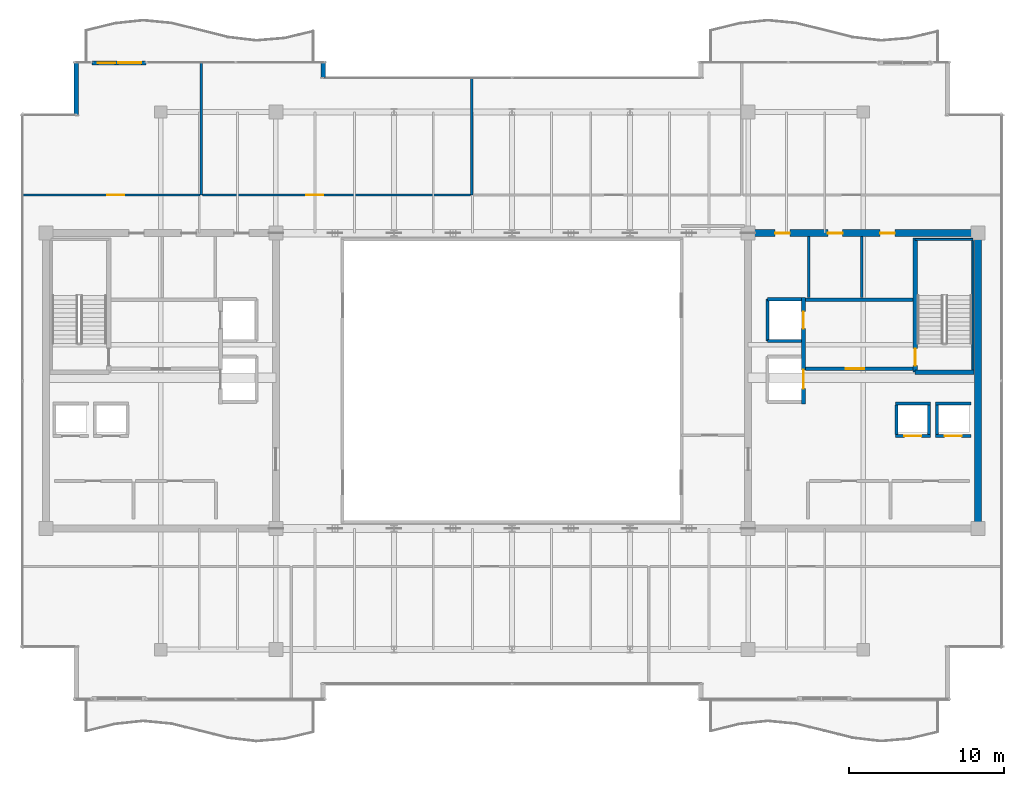
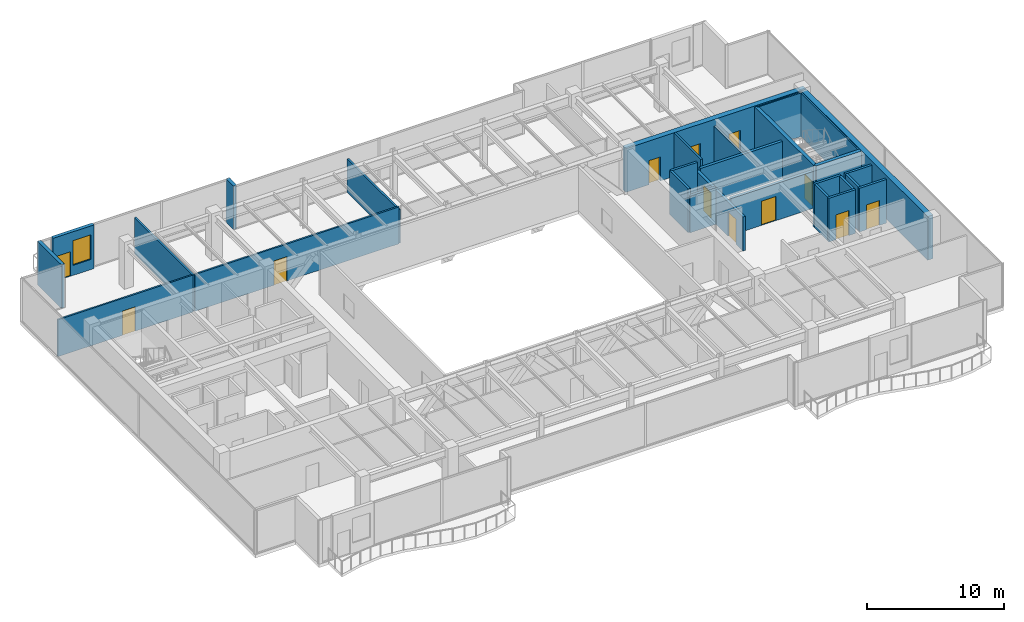
# One storey, part 27 of 31: 28 walls, 12 doors, 1 window, 13 openings.
"""IFC4 building model written with IfcOpenShell, lengths in metres."""

from ifc_helpers import new_model, si_unit, direction, frame, frame_2d, origin, place, context, subcontext, project, spatial, rectangle, extrude, source, transform, mapped, material, layer, layer_set, type_object, type_shapes, element, fill, save


model = new_model("IFC4")

# Units and contexts
model_context = context("Model", 3, precision=1e-05, world=origin(), true_north=direction((0.0, 1.0)))
body_context = subcontext(model_context, "Body", "Model", "MODEL_VIEW")
ifc_project = project(units=[si_unit("LENGTHUNIT", "METRE"), si_unit("AREAUNIT", "SQUARE_METRE"), si_unit("VOLUMEUNIT", "CUBIC_METRE"), si_unit("PLANEANGLEUNIT", "RADIAN"), si_unit("MASSUNIT", "GRAM", prefix="KILO")], contexts=[model_context])

# Site, building, storey
site_placement = place(None, origin())
site = spatial("IfcSite", under=ifc_project, at=site_placement, CompositionType="ELEMENT")
building_placement = place(site_placement, origin())
building = spatial("IfcBuilding", under=site, at=building_placement, Name="Haelvirn Gate Laboratories", CompositionType="ELEMENT")
storey_placement = place(building_placement, frame((0.0, 0.0, 310.199951171875)))
storey = spatial("IfcBuildingStorey", under=building, at=storey_placement, Name="L74", CompositionType="ELEMENT", Elevation=310.199951171875)

# Wall, openings, door, window
ifc_material_1 = material(Name="Thermally-broken bronze aluminium rainscreen & mineral wool", Category="aluminium")
ifc_layer_1 = layer(ifc_material_1, 0.280029296875, Name="EW-TERR-280")
ifc_layer_set_1 = layer_set([ifc_layer_1], Name="Thermally-broken bronze aluminium rainscreen & mineral wool")
wall_type_1 = type_object("IfcWallType", Name="EW-TERR-280", PredefinedType="STANDARD", material=ifc_layer_set_1)
wall_1_placement = place(storey_placement, frame((10.3720703125, 44.760009765625, 0.0), z_axis=(0.0, 0.0, 1.0), x_axis=(1.0, 0.0, 0.0)))
wall_1 = element("IfcWall", 1, at=wall_1_placement, inside=storey, type_object=wall_type_1, Name="L74 Terrace Access Wall WB-WL-N", PredefinedType="STANDARD", context=body_context, shape_type="SweptSolid", body=[
    extrude(rectangle(XDim=3.455810546875, YDim=0.280029296875, at=frame_2d((1.72802734375, 0.0))), origin(), (0.0, 0.0, 1.0), 3.900146484375),
])
opening_1_placement = place(wall_1_placement, frame((0.3779296875, 0.0, 0.0)))
opening_1 = element("IfcOpeningElement", 2, at=opening_1_placement, cuts=wall_1, Name="Opening TD1", PredefinedType="OPENING", context=body_context, shape_type="SweptSolid", body=[
    extrude(rectangle(XDim=1.10009765625, YDim=2.199951171875, at=frame_2d((0.550048828125, 1.10009765625))), frame((0.0, 0.14990234375, 0.0), z_axis=(0.0, -1.0, 0.0), x_axis=(1.0, 0.0, 0.0)), (0.0, 0.0, 1.0), 0.300048828125),
])
opening_2_placement = place(wall_1_placement, frame((1.677978515625, 0.0, 0.89990234375)))
opening_2 = element("IfcOpeningElement", 3, at=opening_2_placement, cuts=wall_1, Name="Opening W3", PredefinedType="OPENING", context=body_context, shape_type="SweptSolid", body=[
    extrude(rectangle(XDim=1.5, YDim=2.199951171875, at=frame_2d((0.75, 1.10009765625))), frame((0.0, 0.14990234375, 0.0), z_axis=(0.0, -1.0, 0.0), x_axis=(1.0, 0.0, 0.0)), (0.0, 0.0, 1.0), 0.300048828125),
])
ifc_material_2 = material(Name="Thermally-broken bronze aluminium glazed terrace door", Category="aluminium")
door_type_1 = type_object("IfcDoorType", Name="DR-TERR-1100", OperationType="NOTDEFINED", PredefinedType="DOOR", material=ifc_material_2)
shared_shape_1 = source(origin(), body_context, "Body", "SweptSolid", [
    extrude(rectangle(XDim=1.10009765625, YDim=2.199951171875, at=frame_2d((0.550048828125, 1.10009765625))), frame((0.0, 0.02490234375, 0.0), z_axis=(0.0, -1.0, 0.0), x_axis=(1.0, 0.0, 0.0)), (0.0, 0.0, 1.0), 0.050048828125),
])
type_shapes(door_type_1, [shared_shape_1])
door_1_placement = place(opening_1_placement, origin())
door_1 = element("IfcDoor", 4, at=door_1_placement, inside=storey, type_object=door_type_1, Name="L74 Terrace Access Door WB-WL-N", OperationType="SINGLE_SWING_RIGHT", OverallHeight=2.199951171875, OverallWidth=1.10009765625, PredefinedType="DOOR", context=body_context, shape_type="MappedRepresentation", body=[
    mapped(shared_shape_1, transform((0.0, 0.0, 0.0), scale=1.0)),
])
fill(opening_1, door_1)
ifc_material_3 = material(Name="Bronze anodised aluminium & triple low-E glass", Category="aluminium")
window_type = type_object("IfcWindowType", Name="WIN-TERR-1600", PartitioningType="SINGLE_PANEL", PredefinedType="WINDOW", material=ifc_material_3)
shared_shape_2 = source(origin(), body_context, "Body", "SweptSolid", [
    extrude(rectangle(XDim=1.5, YDim=2.199951171875, at=frame_2d((0.75, 1.10009765625))), frame((0.0, 0.030029296875, 0.0), z_axis=(0.0, -1.0, 0.0), x_axis=(1.0, 0.0, 0.0)), (0.0, 0.0, 1.0), 0.06005859375),
])
type_shapes(window_type, [shared_shape_2])
window_placement = place(opening_2_placement, origin())
window = element("IfcWindow", 5, at=window_placement, inside=storey, type_object=window_type, Name="L74 Terrace Vision Window WB-WL-N", OverallHeight=2.199951171875, OverallWidth=1.5, PartitioningType="SINGLE_PANEL", PredefinedType="WINDOW", context=body_context, shape_type="MappedRepresentation", body=[
    mapped(shared_shape_2, transform((0.0, 0.0, 0.0), scale=1.0)),
])
fill(opening_2, window)

# Walls
wall_2_placement = place(storey_placement, frame((25.260009765625, 43.806884765625, 0.0), z_axis=(0.0, 0.0, 1.0), x_axis=(0.0, 1.0, 0.0)))
element("IfcWall", 6, at=wall_2_placement, inside=storey, type_object=wall_type_1, Name="L74 Atrium Recess Bronze Return Wall 13", PredefinedType="STANDARD", context=body_context, shape_type="SweptSolid", body=[
    extrude(rectangle(XDim=1.093017578125, YDim=0.280029296875, at=frame_2d((0.54638671875, 0.0))), origin(), (0.0, 0.0, 1.0), 3.900146484375),
])
wall_3_placement = place(storey_placement, frame((9.340087890625, 44.89990234375, 0.0), z_axis=(0.0, 0.0, 1.0), x_axis=(0.0, -1.0, 0.0)))
element("IfcWall", 7, at=wall_3_placement, inside=storey, type_object=wall_type_1, Name="L74 Atrium Recess Bronze Return Wall 15", PredefinedType="STANDARD", context=body_context, shape_type="SweptSolid", body=[
    extrude(rectangle(XDim=3.48779296875, YDim=0.280029296875, at=frame_2d((1.743896484375, 0.0))), origin(), (0.0, 0.0, 1.0), 3.900146484375),
])
ifc_material_4 = material(Name="Double-layer acoustic gypsum laboratory partition", Category="gypsum")
ifc_layer_2 = layer(ifc_material_4, 0.159912109375, Name="IW-ACOUST-160")
ifc_layer_set_2 = layer_set([ifc_layer_2], Name="Double-layer acoustic gypsum laboratory partition")
wall_type_2 = type_object("IfcWallType", Name="IW-ACOUST-160", PredefinedType="PARTITIONING", material=ifc_layer_set_2)
wall_4_placement = place(storey_placement, frame((17.39990234375, 36.260009765625, 0.0), z_axis=(0.0, 0.0, 1.0), x_axis=(0.0, 1.0, 0.0)))
element("IfcWall", 8, at=wall_4_placement, inside=storey, type_object=wall_type_2, Name="L74 Interior Wall IW-L74-NDIV-01", PredefinedType="PARTITIONING", context=body_context, shape_type="SweptSolid", body=[
    extrude(rectangle(XDim=8.530029296875, YDim=0.159912109375, at=frame_2d((4.26513671875, 0.0))), origin(), (0.0, 0.0, 1.0), 3.235107421875),
])
wall_5_placement = place(storey_placement, frame((34.800048828125, 36.260009765625, 0.0), z_axis=(0.0, 0.0, 1.0), x_axis=(0.0, 1.0, 0.0)))
element("IfcWall", 9, at=wall_5_placement, inside=storey, type_object=wall_type_2, Name="L74 Interior Wall IW-L74-NDIV-02", PredefinedType="PARTITIONING", context=body_context, shape_type="SweptSolid", body=[
    extrude(rectangle(XDim=7.530029296875, YDim=0.159912109375, at=frame_2d((3.76513671875, 0.0))), origin(), (0.0, 0.0, 1.0), 2.985107421875),
])

# Wall, opening, door
ifc_material_5 = material(Name="Acoustic mineral-wool gypsum board partition", Category="gypsum")
ifc_layer_3 = layer(ifc_material_5, 0.139892578125, Name="IW-PART-140")
ifc_layer_set_3 = layer_set([ifc_layer_3], Name="Acoustic mineral-wool gypsum board partition")
wall_type_3 = type_object("IfcWallType", Name="IW-PART-140", PredefinedType="PARTITIONING", material=ifc_layer_set_3)
wall_6_placement = place(storey_placement, frame((5.909912109375, 36.260009765625, 0.0), z_axis=(0.0, 0.0, 1.0), x_axis=(1.0, 0.0, 0.0)))
wall_6 = element("IfcWall", 10, at=wall_6_placement, inside=storey, type_object=wall_type_3, Name="L74 Interior Wall IW-L74-NCORR-01", PredefinedType="PARTITIONING", context=body_context, shape_type="SweptSolid", body=[
    extrude(rectangle(XDim=11.41015625, YDim=0.139892578125, at=frame_2d((5.705078125, 0.0))), origin(), (0.0, 0.0, 1.0), 3.297119140625),
])
opening_3_placement = place(wall_6_placement, frame((5.443359375, 0.0, 0.0)))
opening_3 = element("IfcOpeningElement", 11, at=opening_3_placement, cuts=wall_6, Name="Opening D1", PredefinedType="OPENING", context=body_context, shape_type="SweptSolid", body=[
    extrude(rectangle(XDim=1.10009765625, YDim=2.179931640625, at=frame_2d((0.550048828125, 1.08984375))), frame((0.0, 0.080078125, 0.0), z_axis=(0.0, -1.0, 0.0), x_axis=(1.0, 0.0, 0.0)), (0.0, 0.0, 1.0), 0.159912109375),
])
ifc_material_6 = material(Name="Vision-panel acoustic solid-core timber lab door", Category="wood")
door_type_2 = type_object("IfcDoorType", Name="DR-LAB-1100", OperationType="NOTDEFINED", PredefinedType="DOOR", material=ifc_material_6)
shared_shape_3 = source(origin(), body_context, "Body", "SweptSolid", [
    extrude(rectangle(XDim=1.10009765625, YDim=2.179931640625, at=frame_2d((0.550048828125, 1.08984375))), frame((0.0, 0.02490234375, 0.0), z_axis=(0.0, -1.0, 0.0), x_axis=(1.0, 0.0, 0.0)), (0.0, 0.0, 1.0), 0.050048828125),
])
type_shapes(door_type_2, [shared_shape_3])
door_2_placement = place(opening_3_placement, origin())
door_2 = element("IfcDoor", 12, at=door_2_placement, inside=storey, type_object=door_type_2, Name="L74 Protocol Briefing Training Room Door N1", OperationType="SINGLE_SWING_RIGHT", OverallHeight=2.179931640625, OverallWidth=1.10009765625, PredefinedType="DOOR", context=body_context, shape_type="MappedRepresentation", body=[
    mapped(shared_shape_3, transform((0.0, 0.0, 0.0), scale=1.0)),
])
fill(opening_3, door_2)

wall_7_placement = place(storey_placement, frame((17.47998046875, 36.260009765625, 0.0), z_axis=(0.0, 0.0, 1.0), x_axis=(1.0, 0.0, 0.0)))
wall_7 = element("IfcWall", 13, at=wall_7_placement, inside=storey, type_object=wall_type_3, Name="L74 Interior Wall IW-L74-NCORR-02", PredefinedType="PARTITIONING", context=body_context, shape_type="SweptSolid", body=[
    extrude(rectangle(XDim=17.239990234375, YDim=0.139892578125, at=frame_2d((8.6201171875, 0.0))), origin(), (0.0, 0.0, 1.0), 3.297119140625),
])
opening_4_placement = place(wall_7_placement, frame((6.680419921875, 0.0, 0.0)))
opening_4 = element("IfcOpeningElement", 14, at=opening_4_placement, cuts=wall_7, Name="Opening D1", PredefinedType="OPENING", context=body_context, shape_type="SweptSolid", body=[
    extrude(rectangle(XDim=1.10009765625, YDim=2.179931640625, at=frame_2d((0.550048828125, 1.08984375))), frame((0.0, 0.080078125, 0.0), z_axis=(0.0, -1.0, 0.0), x_axis=(1.0, 0.0, 0.0)), (0.0, 0.0, 1.0), 0.159912109375),
])
door_3_placement = place(opening_4_placement, origin())
door_3 = element("IfcDoor", 15, at=door_3_placement, inside=storey, type_object=door_type_2, Name="L74 Scientific Reference Library Door N2", OperationType="SINGLE_SWING_LEFT", OverallHeight=2.179931640625, OverallWidth=1.10009765625, PredefinedType="DOOR", context=body_context, shape_type="MappedRepresentation", body=[
    mapped(shared_shape_3, transform((0.0, 0.0, 0.0), scale=1.0)),
])
fill(opening_4, door_3)

# Walls
ifc_material_7 = material(Name="Cement-board restroom plumbing chase wall", Category="gypsum")
ifc_layer_4 = layer(ifc_material_7, 0.155029296875, Name="IW-PLUMB-160")
ifc_layer_set_4 = layer_set([ifc_layer_4], Name="Cement-board restroom plumbing chase wall")
wall_type_4 = type_object("IfcWallType", Name="IW-PLUMB-160", PredefinedType="PLUMBINGWALL", material=ifc_layer_set_4)
wall_8_placement = place(storey_placement, frame((59.909912109375, 29.64990234375, 0.0), z_axis=(0.0, 0.0, 1.0), x_axis=(0.0, 1.0, 0.0)))
element("IfcWall", 16, at=wall_8_placement, inside=storey, type_object=wall_type_4, Name="L74 Interior Wall IW-L74-E-CDIV-1", PredefinedType="PLUMBINGWALL", context=body_context, shape_type="SweptSolid", body=[
    extrude(rectangle(XDim=3.93017578125, YDim=0.155029296875, at=frame_2d((1.965087890625, 0.0))), origin(), (0.0, 0.0, 1.0), 3.297119140625),
])
wall_9_placement = place(storey_placement, frame((56.510009765625, 29.64990234375, 0.0), z_axis=(0.0, 0.0, 1.0), x_axis=(0.0, 1.0, 0.0)))
element("IfcWall", 17, at=wall_9_placement, inside=storey, type_object=wall_type_4, Name="L74 Interior Wall IW-L74-E-CDIV-2", PredefinedType="PLUMBINGWALL", context=body_context, shape_type="SweptSolid", body=[
    extrude(rectangle(XDim=3.93017578125, YDim=0.155029296875, at=frame_2d((1.965087890625, 0.0))), origin(), (0.0, 0.0, 1.0), 3.900146484375),
])
ifc_material_8 = material(Name="Concrete C40/50", Category="concrete")
ifc_layer_5 = layer(ifc_material_8, 0.179931640625, Name="IW-SHAFT-180")
ifc_layer_set_5 = layer_set([ifc_layer_5], Name="Concrete C40/50")
wall_type_5 = type_object("IfcWallType", Name="IW-SHAFT-180", PredefinedType="SOLIDWALL", material=ifc_layer_set_5)
for number, where, z_axis, x_axis, name in (
    (18, (64.75, 20.85009765625, 0.0), (0.0, 0.0, 1.0), (0.0, 1.0, 0.0), "L74 Interior Wall IW-L74-PL11-SD"),
    (19, (62.14990234375, 20.85009765625, 0.0), (0.0, 0.0, 1.0), (0.0, 1.0, 0.0), "L74 Interior Wall IW-L74-PL12-SD"),
    (20, (64.25, 20.85009765625, 0.0), (0.0, 0.0, 1.0), (0.0, 1.0, 0.0), "L74 Interior Wall IW-L74-PL12-SDE"),
):
    element("IfcWall", number, at=place(storey_placement, frame(where, z_axis=z_axis, x_axis=x_axis)), inside=storey, type_object=wall_type_5, Name=name, PredefinedType="SOLIDWALL", context=body_context, shape_type="SweptSolid", body=[
        extrude(rectangle(XDim=1.89990234375, YDim=0.179931640625, at=frame_2d((0.949951171875, 0.0))), origin(), (0.0, 0.0, 1.0), 3.900146484375),
    ])

# Wall, opening, door
ifc_layer_6 = layer(ifc_material_8, 0.199951171875, Name="IW-SHAFT-200")
ifc_layer_set_6 = layer_set([ifc_layer_6], Name="Concrete C40/50")
wall_type_6 = type_object("IfcWallType", Name="IW-SHAFT-200", PredefinedType="SOLIDWALL", material=ifc_layer_set_6)
wall_10_placement = place(storey_placement, frame((64.669921875, 20.75, 0.0), z_axis=(0.0, 0.0, 1.0), x_axis=(1.0, 0.0, 0.0)))
wall_10 = element("IfcWall", 21, at=wall_10_placement, inside=storey, type_object=wall_type_6, Name="L74 Interior Wall IW-L74-PL11-FR", PredefinedType="SOLIDWALL", context=body_context, shape_type="SweptSolid", body=[
    extrude(rectangle(XDim=2.260009765625, YDim=0.199951171875, at=frame_2d((1.1298828125, 0.0))), origin(), (0.0, 0.0, 1.0), 3.900146484375),
])
opening_5_placement = place(wall_10_placement, frame((0.580078125, 0.0, 0.0)))
opening_5 = element("IfcOpeningElement", 22, at=opening_5_placement, cuts=wall_10, Name="Opening LD2", PredefinedType="OPENING", context=body_context, shape_type="SweptSolid", body=[
    extrude(rectangle(XDim=1.10009765625, YDim=2.219970703125, at=frame_2d((0.550048828125, 1.10986328125))), frame((0.0, 0.10986328125, 0.0), z_axis=(0.0, -1.0, 0.0), x_axis=(1.0, 0.0, 0.0)), (0.0, 0.0, 1.0), 0.219970703125),
])
ifc_material_9 = material(Name="Bronze stainless 316L sliding lift landing door")
door_type_3 = type_object("IfcDoorType", Name="DR-LD-1100", OperationType="NOTDEFINED", PredefinedType="USERDEFINED", material=ifc_material_9)
shared_shape_4 = source(origin(), body_context, "Body", "SweptSolid", [
    extrude(rectangle(XDim=1.10009765625, YDim=2.219970703125, at=frame_2d((0.550048828125, 1.10986328125))), frame((0.0, 0.02490234375, 0.0), z_axis=(0.0, -1.0, 0.0), x_axis=(1.0, 0.0, 0.0)), (0.0, 0.0, 1.0), 0.050048828125),
])
type_shapes(door_type_3, [shared_shape_4])
door_4_placement = place(opening_5_placement, origin())
door_4 = element("IfcDoor", 23, at=door_4_placement, inside=storey, type_object=door_type_3, Name="L74 Passenger Lift PL11 Landing Door", ObjectType="LANDING_DOOR", OperationType="SLIDING_TO_LEFT", OverallHeight=2.219970703125, OverallWidth=1.10009765625, PredefinedType="USERDEFINED", context=body_context, shape_type="MappedRepresentation", body=[
    mapped(shared_shape_4, transform((0.0, 0.0, 0.0), scale=1.0)),
])
fill(opening_5, door_4)

# Wall
wall_11_placement = place(storey_placement, frame((64.669921875, 22.85009765625, 0.0), z_axis=(0.0, 0.0, 1.0), x_axis=(1.0, 0.0, 0.0)))
element("IfcWall", 24, at=wall_11_placement, inside=storey, type_object=wall_type_6, Name="L74 Interior Wall IW-L74-PL11-BK", PredefinedType="SOLIDWALL", context=body_context, shape_type="SweptSolid", body=[
    extrude(rectangle(XDim=2.260009765625, YDim=0.199951171875, at=frame_2d((1.1298828125, 0.0))), origin(), (0.0, 0.0, 1.0), 3.900146484375),
])

# Wall, opening, door
wall_12_placement = place(storey_placement, frame((62.070068359375, 20.75, 0.0), z_axis=(0.0, 0.0, 1.0), x_axis=(1.0, 0.0, 0.0)))
wall_12 = element("IfcWall", 25, at=wall_12_placement, inside=storey, type_object=wall_type_6, Name="L74 Interior Wall IW-L74-PL12-FR", PredefinedType="SOLIDWALL", context=body_context, shape_type="SweptSolid", body=[
    extrude(rectangle(XDim=2.260009765625, YDim=0.199951171875, at=frame_2d((1.1298828125, 0.0))), origin(), (0.0, 0.0, 1.0), 3.900146484375),
])
opening_6_placement = place(wall_12_placement, frame((0.580078125, 0.0, 0.0)))
opening_6 = element("IfcOpeningElement", 26, at=opening_6_placement, cuts=wall_12, Name="Opening LD2", PredefinedType="OPENING", context=body_context, shape_type="SweptSolid", body=[
    extrude(rectangle(XDim=1.10009765625, YDim=2.219970703125, at=frame_2d((0.550048828125, 1.10986328125))), frame((0.0, 0.10986328125, 0.0), z_axis=(0.0, -1.0, 0.0), x_axis=(1.0, 0.0, 0.0)), (0.0, 0.0, 1.0), 0.219970703125),
])
door_5_placement = place(opening_6_placement, origin())
door_5 = element("IfcDoor", 27, at=door_5_placement, inside=storey, type_object=door_type_3, Name="L74 Passenger Lift PL12 Landing Door", ObjectType="LANDING_DOOR", OperationType="SLIDING_TO_RIGHT", OverallHeight=2.219970703125, OverallWidth=1.10009765625, PredefinedType="USERDEFINED", context=body_context, shape_type="MappedRepresentation", body=[
    mapped(shared_shape_4, transform((0.0, 0.0, 0.0), scale=1.0)),
])
fill(opening_6, door_5)

# Walls
wall_13_placement = place(storey_placement, frame((62.070068359375, 22.85009765625, 0.0), z_axis=(0.0, 0.0, 1.0), x_axis=(1.0, 0.0, 0.0)))
element("IfcWall", 28, at=wall_13_placement, inside=storey, type_object=wall_type_6, Name="L74 Interior Wall IW-L74-PL12-BK", PredefinedType="SOLIDWALL", context=body_context, shape_type="SweptSolid", body=[
    extrude(rectangle(XDim=2.260009765625, YDim=0.199951171875, at=frame_2d((1.1298828125, 0.0))), origin(), (0.0, 0.0, 1.0), 3.900146484375),
])
wall_14_placement = place(storey_placement, frame((53.85009765625, 26.85009765625, 0.0), z_axis=(0.0, 0.0, 1.0), x_axis=(0.0, 1.0, 0.0)))
element("IfcWall", 29, at=wall_14_placement, inside=storey, type_object=wall_type_6, Name="L74 Interior Wall IW-L74-FL2-BK", PredefinedType="SOLIDWALL", context=body_context, shape_type="SweptSolid", body=[
    extrude(rectangle(XDim=2.699951171875, YDim=0.199951171875, at=frame_2d((1.35009765625, 0.0))), origin(), (0.0, 0.0, 1.0), 3.900146484375),
])
wall_15_placement = place(storey_placement, frame((53.85009765625, 29.550048828125, 0.0), z_axis=(0.0, 0.0, 1.0), x_axis=(1.0, 0.0, 0.0)))
element("IfcWall", 30, at=wall_15_placement, inside=storey, type_object=wall_type_6, Name="L74 Interior Wall IW-L74-FL2-N", PredefinedType="SOLIDWALL", context=body_context, shape_type="SweptSolid", body=[
    extrude(rectangle(XDim=2.18994140625, YDim=0.199951171875, at=frame_2d((1.094970703125, 0.0))), origin(), (0.0, 0.0, 1.0), 3.900146484375),
])
wall_16_placement = place(storey_placement, frame((53.85009765625, 26.85009765625, 0.0), z_axis=(0.0, 0.0, 1.0), x_axis=(1.0, 0.0, 0.0)))
element("IfcWall", 31, at=wall_16_placement, inside=storey, type_object=wall_type_6, Name="L74 Interior Wall IW-L74-FL2-S", PredefinedType="SOLIDWALL", context=body_context, shape_type="SweptSolid", body=[
    extrude(rectangle(XDim=2.18994140625, YDim=0.199951171875, at=frame_2d((1.094970703125, 0.0))), origin(), (0.0, 0.0, 1.0), 3.297119140625),
])

# Wall, opening, door
ifc_layer_7 = layer(ifc_material_8, 0.239990234375, Name="IW-SHAFT-240")
ifc_layer_set_7 = layer_set([ifc_layer_7], Name="Concrete C40/50")
wall_type_7 = type_object("IfcWallType", Name="IW-SHAFT-240", PredefinedType="SOLIDWALL", material=ifc_layer_set_7)
wall_17_placement = place(storey_placement, frame((56.280029296875, 25.080078125, 0.0), z_axis=(0.0, 0.0, 1.0), x_axis=(1.0, 0.0, 0.0)))
wall_17 = element("IfcWall", 32, at=wall_17_placement, inside=storey, type_object=wall_type_7, Name="L74 Interior Wall IW-L74-E-FF-S", PredefinedType="SOLIDWALL", context=body_context, shape_type="SweptSolid", body=[
    extrude(rectangle(XDim=6.919921875, YDim=0.239990234375, at=frame_2d((3.4599609375, 0.0))), origin(), (0.0, 0.0, 1.0), 3.297119140625),
])
opening_7_placement = place(wall_17_placement, frame((2.60009765625, 0.0, 0.0)))
opening_7 = element("IfcOpeningElement", 33, at=opening_7_placement, cuts=wall_17, Name="Opening FD2", PredefinedType="OPENING", context=body_context, shape_type="SweptSolid", body=[
    extrude(rectangle(XDim=1.199951171875, YDim=2.159912109375, at=frame_2d((0.60009765625, 1.080078125))), frame((0.0, 0.1298828125, 0.0), z_axis=(0.0, -1.0, 0.0), x_axis=(1.0, 0.0, 0.0)), (0.0, 0.0, 1.0), 0.260009765625),
])
ifc_material_10 = material(Name="Fire-rated steel SM355 compartment door", Category="steel")
door_type_4 = type_object("IfcDoorType", Name="DR-FD-1200", OperationType="NOTDEFINED", PredefinedType="DOOR", material=ifc_material_10)
shared_shape_5 = source(origin(), body_context, "Body", "SweptSolid", [
    extrude(rectangle(XDim=1.199951171875, YDim=2.159912109375, at=frame_2d((0.60009765625, 1.080078125))), frame((0.0, 0.02490234375, 0.0), z_axis=(0.0, -1.0, 0.0), x_axis=(1.0, 0.0, 0.0)), (0.0, 0.0, 1.0), 0.050048828125),
])
type_shapes(door_type_4, [shared_shape_5])
door_6_placement = place(opening_7_placement, origin())
door_6 = element("IfcDoor", 34, at=door_6_placement, inside=storey, type_object=door_type_4, Name="L74 East Firefighting Lobby Door", OperationType="SINGLE_SWING_LEFT", OverallHeight=2.159912109375, OverallWidth=1.199951171875, PredefinedType="DOOR", context=body_context, shape_type="MappedRepresentation", body=[
    mapped(shared_shape_5, transform((0.0, 0.0, 0.0), scale=1.0)),
])
fill(opening_7, door_6)

# Wall
wall_18_placement = place(storey_placement, frame((56.280029296875, 29.52001953125, 0.0), z_axis=(0.0, 0.0, 1.0), x_axis=(1.0, 0.0, 0.0)))
element("IfcWall", 35, at=wall_18_placement, inside=storey, type_object=wall_type_7, Name="L74 Interior Wall IW-L74-E-FF-N", PredefinedType="SOLIDWALL", context=body_context, shape_type="SweptSolid", body=[
    extrude(rectangle(XDim=6.919921875, YDim=0.239990234375, at=frame_2d((3.4599609375, 0.0))), origin(), (0.0, 0.0, 1.0), 3.297119140625),
])

# Wall, openings, doors
wall_19_placement = place(storey_placement, frame((56.159912109375, 22.800048828125, 0.0), z_axis=(0.0, 0.0, 1.0), x_axis=(0.0, 1.0, 0.0)))
wall_19 = element("IfcWall", 36, at=wall_19_placement, inside=storey, type_object=wall_type_7, Name="L74 Interior Wall IW-L74-E-FF-E", PredefinedType="SOLIDWALL", context=body_context, shape_type="SweptSolid", body=[
    extrude(rectangle(XDim=6.849853515625, YDim=0.239990234375, at=frame_2d((3.4248046875, 0.0))), origin(), (0.0, 0.0, 1.0), 3.03515625),
])
opening_8_placement = place(wall_19_placement, frame((4.85009765625, 0.0, 0.0)))
opening_8 = element("IfcOpeningElement", 37, at=opening_8_placement, cuts=wall_19, Name="Opening LD2", PredefinedType="OPENING", context=body_context, shape_type="SweptSolid", body=[
    extrude(rectangle(XDim=1.10009765625, YDim=2.219970703125, at=frame_2d((0.550048828125, 1.10986328125))), frame((0.0, 0.1298828125, 0.0), z_axis=(0.0, -1.0, 0.0), x_axis=(1.0, 0.0, 0.0)), (0.0, 0.0, 1.0), 0.260009765625),
])
opening_9_placement = place(wall_19_placement, frame((1.0, 0.0, 0.0)))
opening_9 = element("IfcOpeningElement", 38, at=opening_9_placement, cuts=wall_19, Name="Opening LD1", PredefinedType="OPENING", context=body_context, shape_type="SweptSolid", body=[
    extrude(rectangle(XDim=1.199951171875, YDim=2.219970703125, at=frame_2d((0.60009765625, 1.10986328125))), frame((0.0, 0.1298828125, 0.0), z_axis=(0.0, -1.0, 0.0), x_axis=(1.0, 0.0, 0.0)), (0.0, 0.0, 1.0), 0.260009765625),
])
door_7_placement = place(opening_8_placement, origin())
door_7 = element("IfcDoor", 39, at=door_7_placement, inside=storey, type_object=door_type_3, Name="L74 Firefighting Lift FL2 Landing Door", ObjectType="LANDING_DOOR", OperationType="SLIDING_TO_RIGHT", OverallHeight=2.219970703125, OverallWidth=1.10009765625, PredefinedType="USERDEFINED", context=body_context, shape_type="MappedRepresentation", body=[
    mapped(shared_shape_4, transform((0.0, 0.0, 0.0), scale=1.0)),
])
fill(opening_8, door_7)
ifc_material_11 = material(Name="Stainless steel 316L sliding goods landing door", Category="steel")
door_type_5 = type_object("IfcDoorType", Name="DR-LD-1200", OperationType="NOTDEFINED", PredefinedType="USERDEFINED", material=ifc_material_11)
shared_shape_6 = source(origin(), body_context, "Body", "SweptSolid", [
    extrude(rectangle(XDim=1.199951171875, YDim=2.219970703125, at=frame_2d((0.60009765625, 1.10986328125))), frame((0.0, 0.02490234375, 0.0), z_axis=(0.0, -1.0, 0.0), x_axis=(1.0, 0.0, 0.0)), (0.0, 0.0, 1.0), 0.050048828125),
])
type_shapes(door_type_5, [shared_shape_6])
door_8_placement = place(opening_9_placement, origin())
door_8 = element("IfcDoor", 40, at=door_8_placement, inside=storey, type_object=door_type_5, Name="L74 Service Lift SL2 Landing Door", ObjectType="LANDING_DOOR", OperationType="SLIDING_TO_LEFT", OverallHeight=2.219970703125, OverallWidth=1.199951171875, PredefinedType="USERDEFINED", context=body_context, shape_type="MappedRepresentation", body=[
    mapped(shared_shape_6, transform((0.0, 0.0, 0.0), scale=1.0)),
])
fill(opening_9, door_8)

ifc_material_12 = material(Name="Concrete C50/60", Category="concrete")
ifc_layer_8 = layer(ifc_material_12, 0.449951171875, Name="SW-CORE-450")
ifc_layer_set_8 = layer_set([ifc_layer_8], Name="Concrete C50/60")
wall_type_8 = type_object("IfcWallType", Name="SW-CORE-450", PredefinedType="SHEAR", material=ifc_layer_set_8)
wall_20_placement = place(storey_placement, frame((52.375, 33.800048828125, 0.0), z_axis=(0.0, 0.0, 1.0), x_axis=(1.0, 0.0, 0.0)))
wall_20 = element("IfcWall", 41, at=wall_20_placement, inside=storey, type_object=wall_type_8, Name="L74 E Core Shear Wall N", PredefinedType="SHEAR", context=body_context, shape_type="SweptSolid", body=[
    extrude(rectangle(XDim=15.25, YDim=0.449951171875, at=frame_2d((7.625, 0.0))), origin(), (0.0, 0.0, 1.0), 3.900146484375),
])
opening_10_placement = place(wall_20_placement, frame((8.72509765625, 0.0, 0.0)))
opening_10 = element("IfcOpeningElement", 42, at=opening_10_placement, cuts=wall_20, Name="Opening FD4", PredefinedType="OPENING", context=body_context, shape_type="SweptSolid", body=[
    extrude(rectangle(XDim=0.949951171875, YDim=2.14990234375, at=frame_2d((0.47509765625, 1.074951171875))), frame((0.0, 0.23486328125, 0.0), z_axis=(0.0, -1.0, 0.0), x_axis=(1.0, 0.0, 0.0)), (0.0, 0.0, 1.0), 0.469970703125),
])
opening_11_placement = place(wall_20_placement, frame((5.360107421875, 0.0, 0.0)))
opening_11 = element("IfcOpeningElement", 43, at=opening_11_placement, cuts=wall_20, Name="Opening FD4", PredefinedType="OPENING", context=body_context, shape_type="SweptSolid", body=[
    extrude(rectangle(XDim=0.949951171875, YDim=2.14990234375, at=frame_2d((0.47509765625, 1.074951171875))), frame((0.0, 0.23486328125, 0.0), z_axis=(0.0, -1.0, 0.0), x_axis=(1.0, 0.0, 0.0)), (0.0, 0.0, 1.0), 0.469970703125),
])
opening_12_placement = place(wall_20_placement, frame((1.9599609375, 0.0, 0.0)))
opening_12 = element("IfcOpeningElement", 44, at=opening_12_placement, cuts=wall_20, Name="Opening FD4", PredefinedType="OPENING", context=body_context, shape_type="SweptSolid", body=[
    extrude(rectangle(XDim=0.949951171875, YDim=2.14990234375, at=frame_2d((0.47509765625, 1.074951171875))), frame((0.0, 0.23486328125, 0.0), z_axis=(0.0, -1.0, 0.0), x_axis=(1.0, 0.0, 0.0)), (0.0, 0.0, 1.0), 0.469970703125),
])
ifc_material_13 = material(Name="Fire-rated steel SM355 core service door", Category="steel")
door_type_6 = type_object("IfcDoorType", Name="DR-FD-950", OperationType="NOTDEFINED", PredefinedType="DOOR", material=ifc_material_13)
shared_shape_7 = source(origin(), body_context, "Body", "SweptSolid", [
    extrude(rectangle(XDim=0.949951171875, YDim=2.14990234375, at=frame_2d((0.47509765625, 1.074951171875))), frame((0.0, 0.02490234375, 0.0), z_axis=(0.0, -1.0, 0.0), x_axis=(1.0, 0.0, 0.0)), (0.0, 0.0, 1.0), 0.050048828125),
])
type_shapes(door_type_6, [shared_shape_7])
door_9_placement = place(opening_10_placement, origin())
door_9 = element("IfcDoor", 45, at=door_9_placement, inside=storey, type_object=door_type_6, Name="L74 Male Restroom Fire Door", OperationType="SINGLE_SWING_LEFT", OverallHeight=2.14990234375, OverallWidth=0.949951171875, PredefinedType="DOOR", context=body_context, shape_type="MappedRepresentation", body=[
    mapped(shared_shape_7, transform((0.0, 0.0, 0.0), scale=1.0)),
])
fill(opening_10, door_9)
door_10_placement = place(opening_11_placement, origin())
door_10 = element("IfcDoor", 46, at=door_10_placement, inside=storey, type_object=door_type_6, Name="L74 Female Restroom Fire Door", OperationType="SINGLE_SWING_RIGHT", OverallHeight=2.14990234375, OverallWidth=0.949951171875, PredefinedType="DOOR", context=body_context, shape_type="MappedRepresentation", body=[
    mapped(shared_shape_7, transform((0.0, 0.0, 0.0), scale=1.0)),
])
fill(opening_11, door_10)
door_11_placement = place(opening_12_placement, origin())
door_11 = element("IfcDoor", 47, at=door_11_placement, inside=storey, type_object=door_type_6, Name="L74 Accessible Restroom Fire Door", OperationType="SINGLE_SWING_LEFT", OverallHeight=2.14990234375, OverallWidth=0.949951171875, PredefinedType="DOOR", context=body_context, shape_type="MappedRepresentation", body=[
    mapped(shared_shape_7, transform((0.0, 0.0, 0.0), scale=1.0)),
])
fill(opening_12, door_11)

# Walls
wall_21_placement = place(storey_placement, frame((67.39990234375, 15.02490234375, 0.0), z_axis=(0.0, 0.0, 1.0), x_axis=(0.0, 1.0, 0.0)))
element("IfcWall", 48, at=wall_21_placement, inside=storey, type_object=wall_type_8, Name="L74 E Core Shear Wall E", PredefinedType="SHEAR", context=body_context, shape_type="SweptSolid", body=[
    extrude(rectangle(XDim=18.550048828125, YDim=0.449951171875, at=frame_2d((9.27490234375, 0.0))), origin(), (0.0, 0.0, 1.0), 3.900146484375),
])
ifc_layer_9 = layer(ifc_material_12, 0.1201171875, Name="SW-LINER-120")
ifc_layer_set_9 = layer_set([ifc_layer_9], Name="Concrete C50/60")
wall_type_9 = type_object("IfcWallType", Name="SW-LINER-120", PredefinedType="SOLIDWALL", material=ifc_layer_set_9)
wall_22_placement = place(storey_placement, frame((63.35009765625, 33.39990234375, 0.0), z_axis=(0.0, 0.0, 1.0), x_axis=(1.0, 0.0, 0.0)))
element("IfcWall", 49, at=wall_22_placement, inside=storey, type_object=wall_type_9, Name="L74 E Core Stair Shaft Liner Wall N", PredefinedType="SOLIDWALL", context=body_context, shape_type="SweptSolid", body=[
    extrude(rectangle(XDim=3.719970703125, YDim=0.1201171875, at=frame_2d((1.85986328125, 0.0))), origin(), (0.0, 0.0, 1.0), 3.900146484375),
])
wall_23_placement = place(storey_placement, frame((67.070068359375, 25.0, 0.0), z_axis=(0.0, 0.0, 1.0), x_axis=(0.0, 1.0, 0.0)))
element("IfcWall", 50, at=wall_23_placement, inside=storey, type_object=wall_type_9, Name="L74 E Core Stair Shaft Liner Wall OUT", PredefinedType="SOLIDWALL", context=body_context, shape_type="SweptSolid", body=[
    extrude(rectangle(XDim=8.320068359375, YDim=0.1201171875, at=frame_2d((4.16015625, 0.0))), origin(), (0.0, 0.0, 1.0), 3.900146484375),
])

# Wall, opening, door
ifc_layer_10 = layer(ifc_material_12, 0.300048828125, Name="SW-STAIR-300")
ifc_layer_set_10 = layer_set([ifc_layer_10], Name="Concrete C50/60")
wall_type_10 = type_object("IfcWallType", Name="SW-STAIR-300", PredefinedType="SHEAR", material=ifc_layer_set_10)
wall_24_placement = place(storey_placement, frame((63.35009765625, 24.85009765625, 0.0), z_axis=(0.0, 0.0, 1.0), x_axis=(0.0, 1.0, 0.0)))
wall_24 = element("IfcWall", 51, at=wall_24_placement, inside=storey, type_object=wall_type_10, Name="L74 E Core Stair Shaft Structural Wall IN", PredefinedType="SHEAR", context=body_context, shape_type="SweptSolid", body=[
    extrude(rectangle(XDim=8.6298828125, YDim=0.300048828125, at=frame_2d((4.31494140625, 0.0))), origin(), (0.0, 0.0, 1.0), 3.900146484375),
])
opening_13_placement = place(wall_24_placement, frame((0.419921875, 0.0, 0.0)))
opening_13 = element("IfcOpeningElement", 52, at=opening_13_placement, cuts=wall_24, Name="Opening FD3", PredefinedType="OPENING", context=body_context, shape_type="SweptSolid", body=[
    extrude(rectangle(XDim=1.10009765625, YDim=2.14990234375, at=frame_2d((0.550048828125, 1.074951171875))), frame((0.0, 0.16015625, 0.0), z_axis=(0.0, -1.0, 0.0), x_axis=(1.0, 0.0, 0.0)), (0.0, 0.0, 1.0), 0.320068359375),
])
ifc_material_14 = material(Name="Fire-rated steel SM355 escape stair door", Category="steel")
door_type_7 = type_object("IfcDoorType", Name="DR-FD-1100", OperationType="NOTDEFINED", PredefinedType="DOOR", material=ifc_material_14)
shared_shape_8 = source(origin(), body_context, "Body", "SweptSolid", [
    extrude(rectangle(XDim=1.10009765625, YDim=2.14990234375, at=frame_2d((0.550048828125, 1.074951171875))), frame((0.0, 0.02490234375, 0.0), z_axis=(0.0, -1.0, 0.0), x_axis=(1.0, 0.0, 0.0)), (0.0, 0.0, 1.0), 0.050048828125),
])
type_shapes(door_type_7, [shared_shape_8])
door_12_placement = place(opening_13_placement, origin())
door_12 = element("IfcDoor", 53, at=door_12_placement, inside=storey, type_object=door_type_7, Name="L74 Escape Stair ST2 Fire Door", OperationType="SINGLE_SWING_RIGHT", OverallHeight=2.14990234375, OverallWidth=1.10009765625, PredefinedType="DOOR", context=body_context, shape_type="MappedRepresentation", body=[
    mapped(shared_shape_8, transform((0.0, 0.0, 0.0), scale=1.0)),
])
fill(opening_13, door_12)

# Wall
wall_25_placement = place(storey_placement, frame((63.35009765625, 24.85009765625, 0.0), z_axis=(0.0, 0.0, 1.0), x_axis=(1.0, 0.0, 0.0)))
element("IfcWall", 54, at=wall_25_placement, inside=storey, type_object=wall_type_10, Name="L74 E Core Stair Shaft Structural Wall S", PredefinedType="SHEAR", context=body_context, shape_type="SweptSolid", body=[
    extrude(rectangle(XDim=3.7998046875, YDim=0.300048828125, at=frame_2d((1.89990234375, 0.0))), origin(), (0.0, 0.0, 1.0), 3.900146484375),
])

save(model, "model.ifc")
